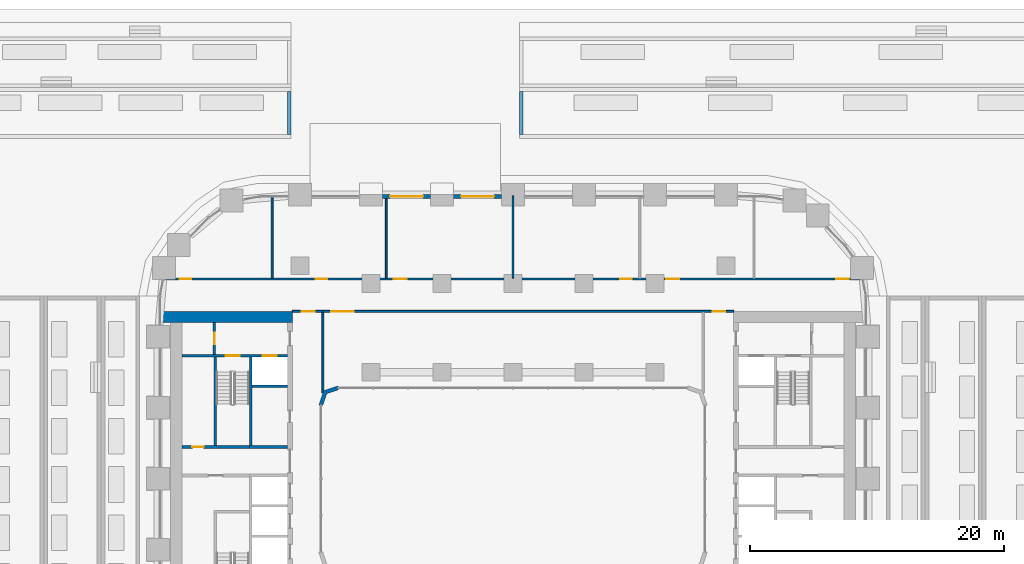
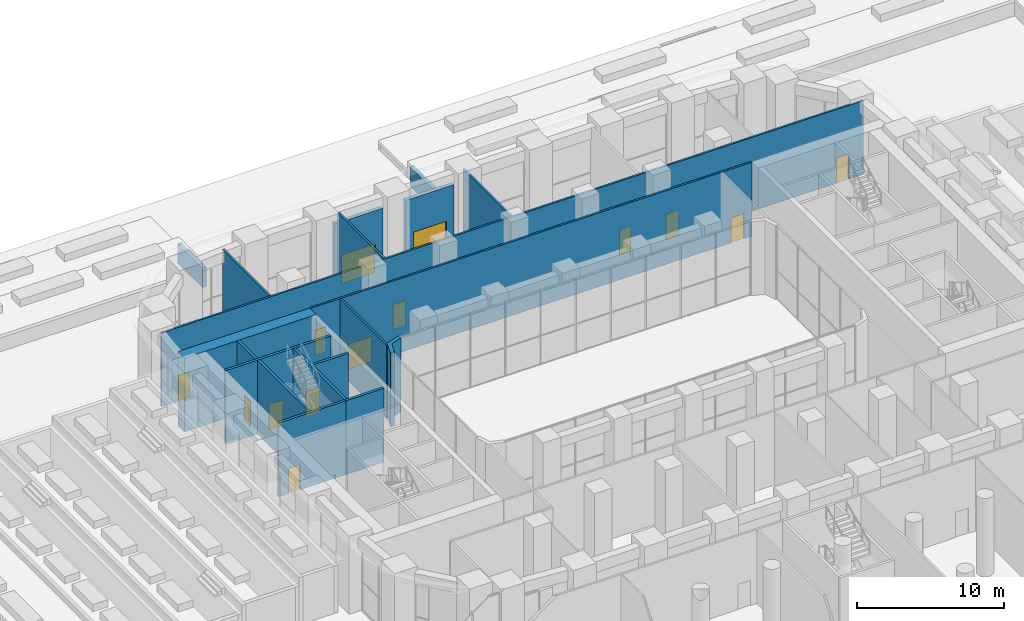
# One storey, part 36 of 51: 19 walls, 15 doors, 15 openings.
"""IFC4 building model written with IfcOpenShell, lengths in metres."""

from ifc_helpers import new_model, si_unit, direction, frame, frame_2d, origin, place, context, subcontext, project, spatial, polyline, rectangle, outline, extrude, material, layer, layer_set, type_object, element, fill, save


model = new_model("IFC4")

# Units and contexts
model_context = context("Model", 3, precision=1e-05, world=origin(), true_north=direction((0.0, 1.0)))
body_context = subcontext(model_context, "Body", "Model", "MODEL_VIEW")
ifc_project = project(units=[si_unit("LENGTHUNIT", "METRE"), si_unit("AREAUNIT", "SQUARE_METRE"), si_unit("VOLUMEUNIT", "CUBIC_METRE"), si_unit("PLANEANGLEUNIT", "RADIAN"), si_unit("MASSUNIT", "GRAM", prefix="KILO")], contexts=[model_context])

# Site, building, storey
site_placement = place(None, origin())
site = spatial("IfcSite", under=ifc_project, at=site_placement, CompositionType="ELEMENT")
building_placement = place(site_placement, origin())
building = spatial("IfcBuilding", under=site, at=building_placement, Name="Kiln Ring Residences", CompositionType="ELEMENT")
storey_placement = place(building_placement, origin())
storey = spatial("IfcBuildingStorey", under=building, at=storey_placement, Name="L00", CompositionType="ELEMENT", Elevation=0.0)

# Wall, opening, door
ifc_material_1 = material(Name="Gypsum board on steel studs", Category="steel")
ifc_layer_1 = layer(ifc_material_1, 0.199951171875)
ifc_layer_set_1 = layer_set([ifc_layer_1], Name="CORE-PARTITION-200")
wall_type_1 = type_object("IfcWallType", Name="CORE-PARTITION-200", PredefinedType="PARTITIONING", material=ifc_layer_set_1)
wall_1_placement = place(storey_placement, frame((-23.550048828125, 9.800048828125, 0.0), z_axis=(0.0, 0.0, 1.0), x_axis=(0.0, 1.0, 0.0)))
wall_1 = element("IfcWall", 1, at=wall_1_placement, inside=storey, type_object=wall_type_1, Name="Core partition west L00 2", PredefinedType="PARTITIONING", context=body_context, shape_type="SweptSolid", body=[
    extrude(rectangle(XDim=2.5, YDim=0.199951171875, at=frame_2d((1.25, 0.0))), origin(), (0.0, 0.0, 1.0), 6.14990234375),
])
opening_1_placement = place(wall_1_placement, frame((0.800048828125, 0.0, 0.0)))
opening_1 = element("IfcOpeningElement", 2, at=opening_1_placement, cuts=wall_1, Name="Opening L00-CW09", PredefinedType="OPENING", context=body_context, shape_type="SweptSolid", body=[
    extrude(rectangle(XDim=0.89990234375, YDim=2.10009765625, at=frame_2d((0.449951171875, 1.050048828125))), frame((0.0, 0.10986328125, 0.0), z_axis=(0.0, -1.0, 0.0), x_axis=(1.0, 0.0, 0.0)), (0.0, 0.0, 1.0), 0.219970703125),
])
ifc_material_2 = material(Name="Steel door leaf", Category="steel")
door_type_1 = type_object("IfcDoorType", Name="CORE-DOOR-ROOM", OperationType="SINGLE_SWING_LEFT", PredefinedType="DOOR", material=ifc_material_2)
door_1_placement = place(opening_1_placement, origin())
door_1 = element("IfcDoor", 3, at=door_1_placement, inside=storey, type_object=door_type_1, Name="Fire riser room L00-CW09", OperationType="SINGLE_SWING_LEFT", OverallHeight=2.10009765625, OverallWidth=0.89990234375, PredefinedType="DOOR", context=body_context, shape_type="SweptSolid", body=[
    extrude(rectangle(XDim=0.89990234375, YDim=2.10009765625, at=frame_2d((0.449951171875, 1.050048828125))), frame((0.0, 0.02490234375, 0.0), z_axis=(0.0, -1.0, 0.0), x_axis=(1.0, 0.0, 0.0)), (0.0, 0.0, 1.0), 0.050048828125),
])
fill(opening_1, door_1)

# Walls
ifc_material_3 = material(Name="Gypsum shaft wall system")
ifc_layer_2 = layer(ifc_material_3, 0.199951171875)
ifc_layer_set_2 = layer_set([ifc_layer_2], Name="CORE-SHAFT-WALL-200")
wall_type_2 = type_object("IfcWallType", Name="CORE-SHAFT-WALL-200", PredefinedType="PARTITIONING", material=ifc_layer_set_2)
wall_2_placement = place(storey_placement, frame((-17.800048828125, 2.5, 0.0), z_axis=(0.0, 0.0, 1.0), x_axis=(-1.0, 0.0, 0.0)))
element("IfcWall", 4, at=wall_2_placement, inside=storey, type_object=wall_type_2, Name="Core partition west L00 8", PredefinedType="PARTITIONING", context=body_context, shape_type="SweptSolid", body=[
    extrude(rectangle(XDim=3.0, YDim=0.199951171875, at=frame_2d((1.5, 0.0))), origin(), (0.0, 0.0, 1.0), 6.14990234375),
])
wall_3_placement = place(storey_placement, frame((-17.800048828125, 7.300048828125, 0.0), z_axis=(0.0, 0.0, 1.0), x_axis=(-1.0, 0.0, 0.0)))
element("IfcWall", 5, at=wall_3_placement, inside=storey, type_object=wall_type_2, Name="Core partition west L00 9", PredefinedType="PARTITIONING", context=body_context, shape_type="SweptSolid", body=[
    extrude(rectangle(XDim=2.800048828125, YDim=0.199951171875, at=frame_2d((1.39990234375, 0.0))), origin(), (0.0, 0.0, 1.0), 6.14990234375),
])
ifc_material_4 = material(Name="Concrete C40/50", Category="concrete")
ifc_layer_3 = layer(ifc_material_4, 0.199951171875)
ifc_layer_set_3 = layer_set([ifc_layer_3], Name="CORE-WALL-RC200")
wall_type_3 = type_object("IfcWallType", Name="CORE-WALL-RC200", PredefinedType="SHEAR", material=ifc_layer_set_3)
wall_4_placement = place(storey_placement, frame((-20.699951171875, 2.60009765625, 0.0), z_axis=(0.0, 0.0, 1.0), x_axis=(0.0, 1.0, 0.0)))
element("IfcWall", 6, at=wall_4_placement, inside=storey, type_object=wall_type_3, Name="Core wall west L00 1", PredefinedType="SHEAR", context=body_context, shape_type="SweptSolid", body=[
    extrude(rectangle(XDim=7.0, YDim=0.199951171875, at=frame_2d((3.5, 0.0))), origin(), (0.0, 0.0, 1.0), 6.14990234375),
])

# Wall, opening, door
wall_5_placement = place(storey_placement, frame((-20.800048828125, 2.5, 0.0), z_axis=(0.0, 0.0, 1.0), x_axis=(-1.0, 0.0, 0.0)))
wall_5 = element("IfcWall", 7, at=wall_5_placement, inside=storey, type_object=wall_type_3, Name="Core wall west L00 3", PredefinedType="SHEAR", context=body_context, shape_type="SweptSolid", body=[
    extrude(rectangle(XDim=5.300048828125, YDim=0.199951171875, at=frame_2d((2.64990234375, 0.0))), origin(), (0.0, 0.0, 1.0), 6.14990234375),
])
opening_2_placement = place(wall_5_placement, frame((3.60009765625, 0.0, 0.0)))
opening_2 = element("IfcOpeningElement", 8, at=opening_2_placement, cuts=wall_5, Name="Opening L00-CW15", PredefinedType="OPENING", context=body_context, shape_type="SweptSolid", body=[
    extrude(rectangle(XDim=0.89990234375, YDim=2.10009765625, at=frame_2d((0.449951171875, 1.050048828125))), frame((0.0, 0.10986328125, 0.0), z_axis=(0.0, -1.0, 0.0), x_axis=(1.0, 0.0, 0.0)), (0.0, 0.0, 1.0), 0.219970703125),
])
door_2_placement = place(opening_2_placement, origin())
door_2 = element("IfcDoor", 9, at=door_2_placement, inside=storey, type_object=door_type_1, Name="Electrical plant room L00-CW15", OperationType="SINGLE_SWING_RIGHT", OverallHeight=2.10009765625, OverallWidth=0.89990234375, PredefinedType="DOOR", context=body_context, shape_type="SweptSolid", body=[
    extrude(rectangle(XDim=0.89990234375, YDim=2.10009765625, at=frame_2d((0.449951171875, 1.050048828125))), frame((0.0, 0.02490234375, 0.0), z_axis=(0.0, -1.0, 0.0), x_axis=(1.0, 0.0, 0.0)), (0.0, 0.0, 1.0), 0.050048828125),
])
fill(opening_2, door_2)

# Wall, openings, doors
wall_6_placement = place(storey_placement, frame((-17.800048828125, 9.699951171875, 0.0), z_axis=(0.0, 0.0, 1.0), x_axis=(-1.0, 0.0, 0.0)))
wall_6 = element("IfcWall", 10, at=wall_6_placement, inside=storey, type_object=wall_type_3, Name="Core wall west L00 9", PredefinedType="SHEAR", context=body_context, shape_type="SweptSolid", body=[
    extrude(rectangle(XDim=8.300048828125, YDim=0.199951171875, at=frame_2d((4.14990234375, 0.0))), origin(), (0.0, 0.0, 1.0), 6.14990234375),
])
opening_3_placement = place(wall_6_placement, frame((0.85009765625, 0.0, 0.0)))
opening_3 = element("IfcOpeningElement", 11, at=opening_3_placement, cuts=wall_6, Name="Opening L00-CW06", PredefinedType="OPENING", context=body_context, shape_type="SweptSolid", body=[
    extrude(rectangle(XDim=1.10009765625, YDim=2.10009765625, at=frame_2d((0.550048828125, 1.050048828125))), frame((0.0, 0.10986328125, 0.0), z_axis=(0.0, -1.0, 0.0), x_axis=(1.0, 0.0, 0.0)), (0.0, 0.0, 1.0), 0.219970703125),
])
opening_4_placement = place(wall_6_placement, frame((3.75, 0.0, 0.0)))
opening_4 = element("IfcOpeningElement", 12, at=opening_4_placement, cuts=wall_6, Name="Opening L00-CW11", PredefinedType="OPENING", context=body_context, shape_type="SweptSolid", body=[
    extrude(rectangle(XDim=1.10009765625, YDim=2.10009765625, at=frame_2d((0.550048828125, 1.050048828125))), frame((0.0, 0.10986328125, 0.0), z_axis=(0.0, -1.0, 0.0), x_axis=(1.0, 0.0, 0.0)), (0.0, 0.0, 1.0), 0.219970703125),
])
ifc_material_5 = material(Name="Steel door leaf", Category="steel")
door_type_2 = type_object("IfcDoorType", Name="CORE-DOOR-LD", OperationType="DOUBLE_DOOR_SLIDING", PredefinedType="DOOR", material=ifc_material_5)
door_3_placement = place(opening_3_placement, origin())
door_3 = element("IfcDoor", 13, at=door_3_placement, inside=storey, type_object=door_type_2, Name="LD W-FF L00-CW06", OperationType="DOUBLE_DOOR_SLIDING", OverallHeight=2.10009765625, OverallWidth=1.10009765625, PredefinedType="DOOR", context=body_context, shape_type="SweptSolid", body=[
    extrude(rectangle(XDim=1.10009765625, YDim=2.10009765625, at=frame_2d((0.550048828125, 1.050048828125))), frame((0.0, 0.02490234375, 0.0), z_axis=(0.0, -1.0, 0.0), x_axis=(1.0, 0.0, 0.0)), (0.0, 0.0, 1.0), 0.050048828125),
])
fill(opening_3, door_3)
ifc_material_6 = material(Name="Steel door leaf", Category="steel")
door_type_3 = type_object("IfcDoorType", Name="CORE-DOOR-STAIR", OperationType="SINGLE_SWING_LEFT", PredefinedType="DOOR", material=ifc_material_6)
door_4_placement = place(opening_4_placement, origin())
door_4 = element("IfcDoor", 14, at=door_4_placement, inside=storey, type_object=door_type_3, Name="Stair W-STN L00-CW11", OperationType="SINGLE_SWING_LEFT", OverallHeight=2.10009765625, OverallWidth=1.10009765625, PredefinedType="DOOR", context=body_context, shape_type="SweptSolid", body=[
    extrude(rectangle(XDim=1.10009765625, YDim=2.10009765625, at=frame_2d((0.550048828125, 1.050048828125))), frame((0.0, 0.02490234375, 0.0), z_axis=(0.0, -1.0, 0.0), x_axis=(1.0, 0.0, 0.0)), (0.0, 0.0, 1.0), 0.050048828125),
])
fill(opening_4, door_4)

# Walls
wall_7_placement = place(storey_placement, frame((-23.5, 2.60009765625, 0.0), z_axis=(0.0, 0.0, 1.0), x_axis=(0.0, 1.0, 0.0)))
element("IfcWall", 15, at=wall_7_placement, inside=storey, type_object=wall_type_3, Name="Core wall west L00 10", PredefinedType="SHEAR", context=body_context, shape_type="SweptSolid", body=[
    extrude(rectangle(XDim=7.0, YDim=0.199951171875, at=frame_2d((3.5, 0.0))), origin(), (0.0, 0.0, 1.0), 6.14990234375),
])
ifc_material_7 = material(Name="Concrete C60/75", Category="concrete")
ifc_layer_4 = layer(ifc_material_7, 0.89990234375)
ifc_layer_set_4 = layer_set([ifc_layer_4], Name="CORE-WALL-RC900")
wall_type_4 = type_object("IfcWallType", Name="CORE-WALL-RC900", PredefinedType="SHEAR", material=ifc_layer_set_4)
wall_8_placement = place(storey_placement, frame((-17.39990234375, 12.75, 0.0), z_axis=(0.0, 0.0, 1.0), x_axis=(-1.0, 0.0, 0.0)))
element("IfcWall", 16, at=wall_8_placement, inside=storey, type_object=wall_type_4, Name="Core wall west L00 4", PredefinedType="SHEAR", context=body_context, shape_type="SweptSolid", body=[
    extrude(rectangle(XDim=10.400146484375, YDim=0.89990234375, at=frame_2d((5.2001953125, 0.0))), origin(), (0.0, 0.0, 1.0), 6.14990234375),
])

# Wall, opening, door
ifc_material_8 = material(Name="Brick masonry, dark clay brick", Category="masonry")
ifc_layer_5 = layer(ifc_material_8, 0.300048828125)
ifc_layer_set_5 = layer_set([ifc_layer_5], Name="EW-300 BRICK WALL")
wall_type_5 = type_object("IfcWallType", Name="EW-300 BRICK WALL", PredefinedType="SOLIDWALL", material=ifc_layer_set_5)
wall_9_placement = place(storey_placement, frame((-4.699951171875, 22.25, 0.0), z_axis=(0.0, 0.0, 1.0), x_axis=(1.0, 0.0, 0.0)))
wall_9 = element("IfcWall", 17, at=wall_9_placement, inside=storey, type_object=wall_type_5, Name="Facade wall L00 3", PredefinedType="SOLIDWALL", context=body_context, shape_type="SweptSolid", body=[
    extrude(rectangle(XDim=3.800048828125, YDim=0.300048828125, at=frame_2d((1.89990234375, 0.0))), origin(), (0.0, 0.0, 1.0), 5.25),
])
opening_5_placement = place(wall_9_placement, frame((0.60009765625, 0.0, 0.0)))
opening_5 = element("IfcOpeningElement", 18, at=opening_5_placement, cuts=wall_9, Name="Opening EL00-3", PredefinedType="OPENING", context=body_context, shape_type="SweptSolid", body=[
    extrude(rectangle(XDim=2.60009765625, YDim=2.39990234375, at=frame_2d((1.300048828125, 1.199951171875))), frame((0.0, 0.159912109375, 0.0), z_axis=(0.0, -1.0, 0.0), x_axis=(1.0, 0.0, 0.0)), (0.0, 0.0, 1.0), 0.320068359375),
])
ifc_material_9 = material(Name="Aluminium and glass", Category="aluminium")
door_type_4 = type_object("IfcDoorType", Name="EXIT DOOR 2600 x 2400", OperationType="DOUBLE_DOOR_SINGLE_SWING", PredefinedType="DOOR", material=ifc_material_9)
door_5_placement = place(opening_5_placement, origin())
door_5 = element("IfcDoor", 19, at=door_5_placement, inside=storey, type_object=door_type_4, Name="Exit door EL00-3", OperationType="SINGLE_SWING_LEFT", OverallHeight=2.39990234375, OverallWidth=2.60009765625, PredefinedType="DOOR", context=body_context, shape_type="SweptSolid", body=[
    extrude(rectangle(XDim=2.60009765625, YDim=2.39990234375, at=frame_2d((1.300048828125, 1.199951171875))), frame((0.0, 0.02490234375, 0.0), z_axis=(0.0, -1.0, 0.0), x_axis=(1.0, 0.0, 0.0)), (0.0, 0.0, 1.0), 0.050048828125),
])
fill(opening_5, door_5)

wall_10_placement = place(storey_placement, frame((-10.300048828125, 22.25, 0.0), z_axis=(0.0, 0.0, 1.0), x_axis=(1.0, 0.0, 0.0)))
wall_10 = element("IfcWall", 20, at=wall_10_placement, inside=storey, type_object=wall_type_5, Name="Facade wall L00 4", PredefinedType="SOLIDWALL", context=body_context, shape_type="SweptSolid", body=[
    extrude(rectangle(XDim=3.800048828125, YDim=0.300048828125, at=frame_2d((1.89990234375, 0.0))), origin(), (0.0, 0.0, 1.0), 5.25),
])
opening_6_placement = place(wall_10_placement, frame((0.60009765625, 0.0, 0.0)))
opening_6 = element("IfcOpeningElement", 21, at=opening_6_placement, cuts=wall_10, Name="Opening EL00-4", PredefinedType="OPENING", context=body_context, shape_type="SweptSolid", body=[
    extrude(rectangle(XDim=2.60009765625, YDim=2.39990234375, at=frame_2d((1.300048828125, 1.199951171875))), frame((0.0, 0.159912109375, 0.0), z_axis=(0.0, -1.0, 0.0), x_axis=(1.0, 0.0, 0.0)), (0.0, 0.0, 1.0), 0.320068359375),
])
door_6_placement = place(opening_6_placement, origin())
door_6 = element("IfcDoor", 22, at=door_6_placement, inside=storey, type_object=door_type_4, Name="Exit door EL00-4", OperationType="SINGLE_SWING_LEFT", OverallHeight=2.39990234375, OverallWidth=2.60009765625, PredefinedType="DOOR", context=body_context, shape_type="SweptSolid", body=[
    extrude(rectangle(XDim=2.60009765625, YDim=2.39990234375, at=frame_2d((1.300048828125, 1.199951171875))), frame((0.0, 0.02490234375, 0.0), z_axis=(0.0, -1.0, 0.0), x_axis=(1.0, 0.0, 0.0)), (0.0, 0.0, 1.0), 0.050048828125),
])
fill(opening_6, door_6)

# Wall
wall_11_placement = place(storey_placement, origin())
element("IfcWall", 23, at=wall_11_placement, inside=storey, type_object=wall_type_5, Name="Corner wall L00 3", PredefinedType="SOLIDWALL", context=body_context, shape_type="SweptSolid", body=[
    extrude(outline(polyline([(-13.8486328125, 7.300048828125), (-14.937255859375, 6.937255859375), (-15.300048828125, 5.8486328125), (-15.300048828125, 5.800048828125), (-15.0, 5.800048828125), (-14.699951171875, 6.699951171875), (-13.800048828125, 7.0), (-13.800048828125, 7.300048828125), (-13.8486328125, 7.300048828125)])), origin(), (0.0, 0.0, 1.0), 6.14990234375),
])

# Wall, openings, doors
ifc_material_10 = material(Name="Brick masonry partition", Category="masonry")
ifc_layer_6 = layer(ifc_material_10, 0.14990234375)
ifc_layer_set_6 = layer_set([ifc_layer_6], Name="PARTITION-150-ei60")
wall_type_6 = type_object("IfcWallType", Name="PARTITION-150-ei60", PredefinedType="PARTITIONING", material=ifc_layer_set_6)
wall_12_placement = place(storey_placement, frame((-17.39990234375, 13.199951171875, 0.0), z_axis=(0.0, 0.0, 1.0), x_axis=(1.0, 0.0, 0.0)))
wall_12 = element("IfcWall", 24, at=wall_12_placement, inside=storey, type_object=wall_type_6, Name="Partition 016", PredefinedType="PARTITIONING", context=body_context, shape_type="SweptSolid", body=[
    extrude(rectangle(XDim=34.7998046875, YDim=0.14990234375, at=frame_2d((17.39990234375, 0.0))), origin(), (0.0, 0.0, 1.0), 6.14990234375),
])
opening_7_placement = place(wall_12_placement, frame((3.050048828125, 0.0, 0.0)))
opening_7 = element("IfcOpeningElement", 25, at=opening_7_placement, cuts=wall_12, Name="Opening L00-D001", PredefinedType="OPENING", context=body_context, shape_type="SweptSolid", body=[
    extrude(rectangle(XDim=1.800048828125, YDim=2.10009765625, at=frame_2d((0.89990234375, 1.050048828125))), frame((0.0, 0.0849609375, 0.0), z_axis=(0.0, -1.0, 0.0), x_axis=(1.0, 0.0, 0.0)), (0.0, 0.0, 1.0), 0.169921875),
])
opening_8_placement = place(wall_12_placement, frame((0.75, 0.0, 0.0)))
opening_8 = element("IfcOpeningElement", 26, at=opening_8_placement, cuts=wall_12, Name="Opening L00-D002", PredefinedType="OPENING", context=body_context, shape_type="SweptSolid", body=[
    extrude(rectangle(XDim=1.0, YDim=2.10009765625, at=frame_2d((0.5, 1.050048828125))), frame((0.0, 0.0849609375, 0.0), z_axis=(0.0, -1.0, 0.0), x_axis=(1.0, 0.0, 0.0)), (0.0, 0.0, 1.0), 0.169921875),
])
opening_9_placement = place(wall_12_placement, frame((33.14990234375, 0.0, 0.0)))
opening_9 = element("IfcOpeningElement", 27, at=opening_9_placement, cuts=wall_12, Name="Opening L00-D003", PredefinedType="OPENING", context=body_context, shape_type="SweptSolid", body=[
    extrude(rectangle(XDim=1.0, YDim=2.10009765625, at=frame_2d((0.5, 1.050048828125))), frame((0.0, 0.0849609375, 0.0), z_axis=(0.0, -1.0, 0.0), x_axis=(1.0, 0.0, 0.0)), (0.0, 0.0, 1.0), 0.169921875),
])
ifc_material_11 = material(Name="Steel faced fire door leaf", Category="steel")
door_type_5 = type_object("IfcDoorType", Name="FLAT-DOOR-1000-FR", OperationType="SINGLE_SWING_LEFT", PredefinedType="DOOR", material=ifc_material_11)
door_7_placement = place(opening_8_placement, origin())
door_7 = element("IfcDoor", 28, at=door_7_placement, inside=storey, type_object=door_type_5, Name="Door L00-D002", OperationType="SINGLE_SWING_LEFT", OverallHeight=2.10009765625, OverallWidth=1.0, PredefinedType="DOOR", context=body_context, shape_type="SweptSolid", body=[
    extrude(rectangle(XDim=1.0, YDim=2.10009765625, at=frame_2d((0.5, 1.050048828125))), frame((0.0, 0.02490234375, 0.0), z_axis=(0.0, -1.0, 0.0), x_axis=(1.0, 0.0, 0.0)), (0.0, 0.0, 1.0), 0.050048828125),
])
fill(opening_8, door_7)
door_8_placement = place(opening_9_placement, origin())
door_8 = element("IfcDoor", 29, at=door_8_placement, inside=storey, type_object=door_type_5, Name="Door L00-D003", OperationType="SINGLE_SWING_RIGHT", OverallHeight=2.10009765625, OverallWidth=1.0, PredefinedType="DOOR", context=body_context, shape_type="SweptSolid", body=[
    extrude(rectangle(XDim=1.0, YDim=2.10009765625, at=frame_2d((0.5, 1.050048828125))), frame((0.0, 0.02490234375, 0.0), z_axis=(0.0, -1.0, 0.0), x_axis=(1.0, 0.0, 0.0)), (0.0, 0.0, 1.0), 0.050048828125),
])
fill(opening_9, door_8)
ifc_material_12 = material(Name="Steel faced fire door leaf", Category="steel")
door_type_6 = type_object("IfcDoorType", Name="FLAT-DOOR-1800-FR", OperationType="SINGLE_SWING_LEFT", PredefinedType="DOOR", material=ifc_material_12)
door_9_placement = place(opening_7_placement, origin())
door_9 = element("IfcDoor", 30, at=door_9_placement, inside=storey, type_object=door_type_6, Name="Door L00-D001", OperationType="SINGLE_SWING_LEFT", OverallHeight=2.10009765625, OverallWidth=1.800048828125, PredefinedType="DOOR", context=body_context, shape_type="SweptSolid", body=[
    extrude(rectangle(XDim=1.800048828125, YDim=2.10009765625, at=frame_2d((0.89990234375, 1.050048828125))), frame((0.0, 0.02490234375, 0.0), z_axis=(0.0, -1.0, 0.0), x_axis=(1.0, 0.0, 0.0)), (0.0, 0.0, 1.0), 0.050048828125),
])
fill(opening_7, door_9)

wall_13_placement = place(storey_placement, frame((-27.639892578125, 15.75, 0.0), z_axis=(0.0, 0.0, 1.0), x_axis=(1.0, 0.0, 0.0)))
wall_13 = element("IfcWall", 31, at=wall_13_placement, inside=storey, type_object=wall_type_6, Name="Partition 017", PredefinedType="PARTITIONING", context=body_context, shape_type="SweptSolid", body=[
    extrude(rectangle(XDim=55.27978515625, YDim=0.14990234375, at=frame_2d((27.639892578125, 0.0))), origin(), (0.0, 0.0, 1.0), 6.14990234375),
])
opening_10_placement = place(wall_13_placement, frame((1.340087890625, 0.0, 0.0)))
opening_10 = element("IfcOpeningElement", 32, at=opening_10_placement, cuts=wall_13, Name="Opening L00-D030", PredefinedType="OPENING", context=body_context, shape_type="SweptSolid", body=[
    extrude(rectangle(XDim=0.89990234375, YDim=2.10009765625, at=frame_2d((0.449951171875, 1.050048828125))), frame((0.0, 0.0849609375, 0.0), z_axis=(0.0, -1.0, 0.0), x_axis=(1.0, 0.0, 0.0)), (0.0, 0.0, 1.0), 0.169921875),
])
opening_11_placement = place(wall_13_placement, frame((12.090087890625, 0.0, 0.0)))
opening_11 = element("IfcOpeningElement", 33, at=opening_11_placement, cuts=wall_13, Name="Opening L00-D031", PredefinedType="OPENING", context=body_context, shape_type="SweptSolid", body=[
    extrude(rectangle(XDim=0.89990234375, YDim=2.10009765625, at=frame_2d((0.449951171875, 1.050048828125))), frame((0.0, 0.0849609375, 0.0), z_axis=(0.0, -1.0, 0.0), x_axis=(1.0, 0.0, 0.0)), (0.0, 0.0, 1.0), 0.169921875),
])
opening_12_placement = place(wall_13_placement, frame((18.239990234375, 0.0, 0.0)))
opening_12 = element("IfcOpeningElement", 34, at=opening_12_placement, cuts=wall_13, Name="Opening L00-D032", PredefinedType="OPENING", context=body_context, shape_type="SweptSolid", body=[
    extrude(rectangle(XDim=1.0, YDim=2.10009765625, at=frame_2d((0.5, 1.050048828125))), frame((0.0, 0.0849609375, 0.0), z_axis=(0.0, -1.0, 0.0), x_axis=(1.0, 0.0, 0.0)), (0.0, 0.0, 1.0), 0.169921875),
])
opening_13_placement = place(wall_13_placement, frame((36.090087890625, 0.0, 0.0)))
opening_13 = element("IfcOpeningElement", 35, at=opening_13_placement, cuts=wall_13, Name="Opening L00-D033", PredefinedType="OPENING", context=body_context, shape_type="SweptSolid", body=[
    extrude(rectangle(XDim=0.89990234375, YDim=2.10009765625, at=frame_2d((0.449951171875, 1.050048828125))), frame((0.0, 0.0849609375, 0.0), z_axis=(0.0, -1.0, 0.0), x_axis=(1.0, 0.0, 0.0)), (0.0, 0.0, 1.0), 0.169921875),
])
opening_14_placement = place(wall_13_placement, frame((39.739990234375, 0.0, 0.0)))
opening_14 = element("IfcOpeningElement", 36, at=opening_14_placement, cuts=wall_13, Name="Opening L00-D034", PredefinedType="OPENING", context=body_context, shape_type="SweptSolid", body=[
    extrude(rectangle(XDim=1.0, YDim=2.10009765625, at=frame_2d((0.5, 1.050048828125))), frame((0.0, 0.0849609375, 0.0), z_axis=(0.0, -1.0, 0.0), x_axis=(1.0, 0.0, 0.0)), (0.0, 0.0, 1.0), 0.169921875),
])
opening_15_placement = place(wall_13_placement, frame((53.14111328125, 0.0, 0.0)))
opening_15 = element("IfcOpeningElement", 37, at=opening_15_placement, cuts=wall_13, Name="Opening L00-D035", PredefinedType="OPENING", context=body_context, shape_type="SweptSolid", body=[
    extrude(rectangle(XDim=1.0, YDim=2.10009765625, at=frame_2d((0.5, 1.050048828125))), frame((0.0, 0.0849609375, 0.0), z_axis=(0.0, -1.0, 0.0), x_axis=(1.0, 0.0, 0.0)), (0.0, 0.0, 1.0), 0.169921875),
])
door_10_placement = place(opening_12_placement, origin())
door_10 = element("IfcDoor", 38, at=door_10_placement, inside=storey, type_object=door_type_5, Name="Door L00-D032", OperationType="SINGLE_SWING_RIGHT", OverallHeight=2.10009765625, OverallWidth=1.0, PredefinedType="DOOR", context=body_context, shape_type="SweptSolid", body=[
    extrude(rectangle(XDim=1.0, YDim=2.10009765625, at=frame_2d((0.5, 1.050048828125))), frame((0.0, 0.02490234375, 0.0), z_axis=(0.0, -1.0, 0.0), x_axis=(1.0, 0.0, 0.0)), (0.0, 0.0, 1.0), 0.050048828125),
])
fill(opening_12, door_10)
door_11_placement = place(opening_14_placement, origin())
door_11 = element("IfcDoor", 39, at=door_11_placement, inside=storey, type_object=door_type_5, Name="Door L00-D034", OperationType="SINGLE_SWING_RIGHT", OverallHeight=2.10009765625, OverallWidth=1.0, PredefinedType="DOOR", context=body_context, shape_type="SweptSolid", body=[
    extrude(rectangle(XDim=1.0, YDim=2.10009765625, at=frame_2d((0.5, 1.050048828125))), frame((0.0, 0.02490234375, 0.0), z_axis=(0.0, -1.0, 0.0), x_axis=(1.0, 0.0, 0.0)), (0.0, 0.0, 1.0), 0.050048828125),
])
fill(opening_14, door_11)
door_12_placement = place(opening_15_placement, origin())
door_12 = element("IfcDoor", 40, at=door_12_placement, inside=storey, type_object=door_type_5, Name="Door L00-D035", OperationType="SINGLE_SWING_LEFT", OverallHeight=2.10009765625, OverallWidth=1.0, PredefinedType="DOOR", context=body_context, shape_type="SweptSolid", body=[
    extrude(rectangle(XDim=1.0, YDim=2.10009765625, at=frame_2d((0.5, 1.050048828125))), frame((0.0, 0.02490234375, 0.0), z_axis=(0.0, -1.0, 0.0), x_axis=(1.0, 0.0, 0.0)), (0.0, 0.0, 1.0), 0.050048828125),
])
fill(opening_15, door_12)
ifc_material_13 = material(Name="Steel faced fire door leaf", Category="steel")
door_type_7 = type_object("IfcDoorType", Name="FLAT-DOOR-900-FR", OperationType="SINGLE_SWING_LEFT", PredefinedType="DOOR", material=ifc_material_13)
door_13_placement = place(opening_10_placement, origin())
door_13 = element("IfcDoor", 41, at=door_13_placement, inside=storey, type_object=door_type_7, Name="Door L00-D030", OperationType="SINGLE_SWING_RIGHT", OverallHeight=2.10009765625, OverallWidth=0.89990234375, PredefinedType="DOOR", context=body_context, shape_type="SweptSolid", body=[
    extrude(rectangle(XDim=0.89990234375, YDim=2.10009765625, at=frame_2d((0.449951171875, 1.050048828125))), frame((0.0, 0.02490234375, 0.0), z_axis=(0.0, -1.0, 0.0), x_axis=(1.0, 0.0, 0.0)), (0.0, 0.0, 1.0), 0.050048828125),
])
fill(opening_10, door_13)
door_14_placement = place(opening_11_placement, origin())
door_14 = element("IfcDoor", 42, at=door_14_placement, inside=storey, type_object=door_type_7, Name="Door L00-D031", OperationType="SINGLE_SWING_RIGHT", OverallHeight=2.10009765625, OverallWidth=0.89990234375, PredefinedType="DOOR", context=body_context, shape_type="SweptSolid", body=[
    extrude(rectangle(XDim=0.89990234375, YDim=2.10009765625, at=frame_2d((0.449951171875, 1.050048828125))), frame((0.0, 0.02490234375, 0.0), z_axis=(0.0, -1.0, 0.0), x_axis=(1.0, 0.0, 0.0)), (0.0, 0.0, 1.0), 0.050048828125),
])
fill(opening_11, door_14)
door_15_placement = place(opening_13_placement, origin())
door_15 = element("IfcDoor", 43, at=door_15_placement, inside=storey, type_object=door_type_7, Name="Door L00-D033", OperationType="SINGLE_SWING_LEFT", OverallHeight=2.10009765625, OverallWidth=0.89990234375, PredefinedType="DOOR", context=body_context, shape_type="SweptSolid", body=[
    extrude(rectangle(XDim=0.89990234375, YDim=2.10009765625, at=frame_2d((0.449951171875, 1.050048828125))), frame((0.0, 0.02490234375, 0.0), z_axis=(0.0, -1.0, 0.0), x_axis=(1.0, 0.0, 0.0)), (0.0, 0.0, 1.0), 0.050048828125),
])
fill(opening_13, door_15)

# Walls
wall_14_placement = place(storey_placement, frame((-19.0, 15.824951171875, 0.0), z_axis=(0.0, 0.0, 1.0), x_axis=(0.0, 1.0, 0.0)))
element("IfcWall", 44, at=wall_14_placement, inside=storey, type_object=wall_type_6, Name="Partition 022", PredefinedType="PARTITIONING", context=body_context, shape_type="SweptSolid", body=[
    extrude(rectangle(XDim=6.39306640625, YDim=0.14990234375, at=frame_2d((3.196533203125, 0.0))), origin(), (0.0, 0.0, 1.0), 6.14990234375),
])
wall_15_placement = place(storey_placement, frame((-15.0, 6.768798828125, 0.0), z_axis=(0.0, 0.0, 1.0), x_axis=(0.0, 1.0, 0.0)))
element("IfcWall", 45, at=wall_15_placement, inside=storey, type_object=wall_type_6, Name="Partition 026", PredefinedType="PARTITIONING", context=body_context, shape_type="SweptSolid", body=[
    extrude(rectangle(XDim=6.356201171875, YDim=0.14990234375, at=frame_2d((3.17822265625, 0.0))), origin(), (0.0, 0.0, 1.0), 6.14990234375),
])
wall_16_placement = place(storey_placement, frame((-10.0, 15.824951171875, 0.0), z_axis=(0.0, 0.0, 1.0), x_axis=(0.0, 1.0, 0.0)))
element("IfcWall", 46, at=wall_16_placement, inside=storey, type_object=wall_type_6, Name="Partition 028", PredefinedType="PARTITIONING", context=body_context, shape_type="SweptSolid", body=[
    extrude(rectangle(XDim=6.255126953125, YDim=0.14990234375, at=frame_2d((3.12744140625, 0.0))), origin(), (0.0, 0.0, 1.0), 6.14990234375),
])
wall_17_placement = place(storey_placement, frame((0.0, 15.824951171875, 0.0), z_axis=(0.0, 0.0, 1.0), x_axis=(0.0, 1.0, 0.0)))
element("IfcWall", 47, at=wall_17_placement, inside=storey, type_object=wall_type_6, Name="Partition 032", PredefinedType="PARTITIONING", context=body_context, shape_type="SweptSolid", body=[
    extrude(rectangle(XDim=6.485107421875, YDim=0.14990234375, at=frame_2d((3.24267578125, 0.0))), origin(), (0.0, 0.0, 1.0), 6.14990234375),
])
ifc_material_14 = material(Name="Concrete C35/45", Category="concrete")
ifc_layer_7 = layer(ifc_material_14, 0.300048828125)
ifc_layer_set_7 = layer_set([ifc_layer_7], Name="TERRACE RETAINING WALL 300")
wall_type_7 = type_object("IfcWallType", Name="TERRACE RETAINING WALL 300", PredefinedType="SOLIDWALL", material=ifc_layer_set_7)
for number, where, z_axis, x_axis, name in (
    (48, (-17.64990234375, 27.14990234375, -0.5), (0.0, 0.0, 1.0), (0.0, 1.0, 0.0), "Terrace retaining wall N1W e"),
    (49, (0.64990234375, 27.14990234375, -0.5), (0.0, 0.0, 1.0), (0.0, 1.0, 0.0), "Terrace retaining wall N1E w"),
):
    element("IfcWall", number, at=place(storey_placement, frame(where, z_axis=z_axis, x_axis=x_axis)), inside=storey, type_object=wall_type_7, Name=name, PredefinedType="SOLIDWALL", context=body_context, shape_type="SweptSolid", body=[
        extrude(rectangle(XDim=3.400146484375, YDim=0.300048828125, at=frame_2d((1.7001953125, 0.0))), origin(), (0.0, 0.0, 1.0), 1.64990234375),
    ])

save(model, "model.ifc")
